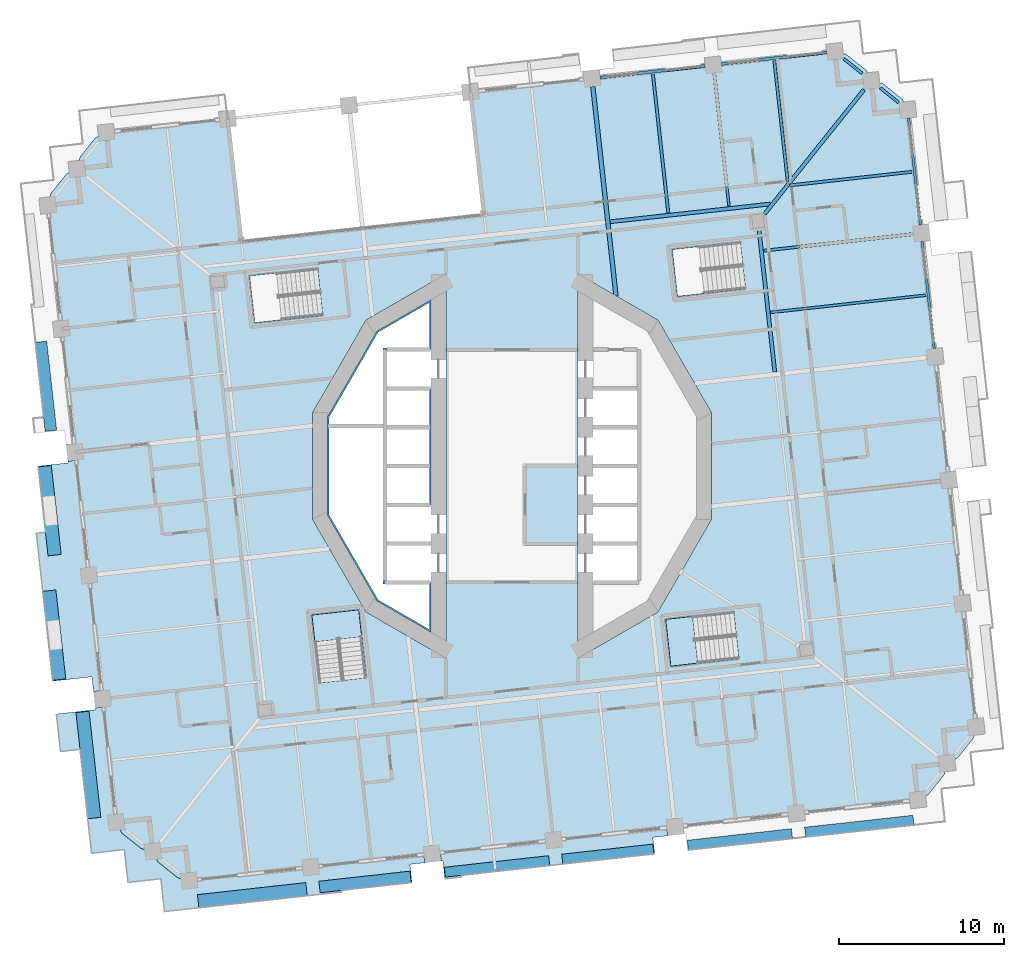
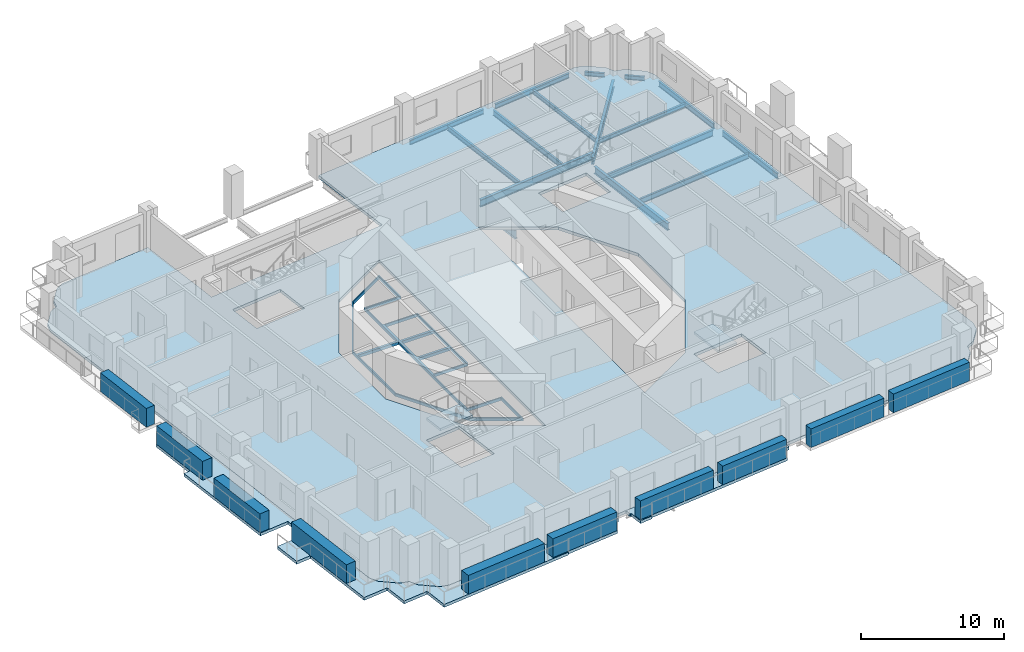
# One storey, part 5 of 21: 16 beams, 10 plates, 7 slabs, 2 elements without a shape of their own.
"""IFC4 building model written with IfcOpenShell, lengths in metres."""

import ifcopenshell
import ifcopenshell.guid

model = None  # the IFC model being written
_history = None  # IfcOwnerHistory: only IFC2X3 demands one
_inside = {}  # id of a spatial element -> (the spatial element, [elements in it])
_under = {}  # id of a project, library or spatial element -> (it, [spatial elements below it])
_declared = {}  # id of a project -> (the project, [libraries it declares])
_typed = {}  # id of a type object -> (the type object, [elements of that type])
_made_of = {}  # id of a material, layer set ... -> (it, [elements and type objects made of it])


def new_model(schema):
    """Start an empty IFC model of exactly this schema.

    Asked for "IFC4X3", IfcOpenShell would pick the latest addendum, in which some entities
    have other attributes; the version numbers below select the first issue.
    IFC2X3 requires an IfcOwnerHistory on every rooted entity: one is made here for all.
    """
    global model, _history
    if schema == "IFC4X3":
        model = ifcopenshell.file(schema_version=(4, 3, 0, 0))
    else:
        model = ifcopenshell.file(schema=schema)
    _inside.clear()
    _under.clear()
    _declared.clear()
    _typed.clear()
    _made_of.clear()
    _history = None
    if model.schema == "IFC2X3":
        org = make("IfcOrganization", Name="unknown")
        user = make(
            "IfcPersonAndOrganization",
            ThePerson=make("IfcPerson", FamilyName="unknown"),
            TheOrganization=org,
        )
        app = make(
            "IfcApplication",
            ApplicationDeveloper=org,
            Version="unknown",
            ApplicationFullName="unknown",
            ApplicationIdentifier="unknown",
        )
        _history = make(
            "IfcOwnerHistory",
            OwningUser=user,
            OwningApplication=app,
            ChangeAction="ADDED",
            CreationDate=0,
        )
    return model


def make(cls, **values):
    """One entity of the class cls with the attributes given. An attribute that is None is left unset."""
    return model.create_entity(
        cls, **{name: value for name, value in values.items() if value is not None}
    )


def rooted(cls, **values):
    """An entity with a GlobalId (a new one), such as an element, a storey or a relation."""
    return make(cls, GlobalId=ifcopenshell.guid.new(), OwnerHistory=_history, **values)


def si_unit(unit_type, name, prefix=None):
    """IfcSIUnit, for example si_unit("LENGTHUNIT", "METRE", prefix="MILLI")."""
    return make("IfcSIUnit", UnitType=unit_type, Prefix=prefix, Name=name)


def assignment(units):
    """IfcUnitAssignment: the units of a project."""
    return None if units is None else make("IfcUnitAssignment", Units=units)


def point(xyz):
    """IfcCartesianPoint."""
    return None if xyz is None else make("IfcCartesianPoint", Coordinates=xyz)


def direction(xyz):
    """IfcDirection."""
    return None if xyz is None else make("IfcDirection", DirectionRatios=xyz)


def frame(location, z_axis=None, x_axis=None):
    """IfcAxis2Placement3D, a coordinate frame: its origin and axes. An axis left out is left unset."""
    return make(
        "IfcAxis2Placement3D",
        Location=point(location),
        Axis=direction(z_axis),
        RefDirection=direction(x_axis),
    )


def frame_2d(location, x_axis=None):
    """IfcAxis2Placement2D, a coordinate frame in the plane: its origin and x axis."""
    return make(
        "IfcAxis2Placement2D", Location=point(location), RefDirection=direction(x_axis)
    )


def origin():
    """The frame at (0, 0, 0) with its axes left unset."""
    return frame((0.0, 0.0, 0.0))


def origin_2d():
    """The frame at (0, 0) in the plane with its x axis left unset."""
    return frame_2d((0.0, 0.0))


def place(relative_to, where):
    """IfcLocalPlacement: puts the frame where relative to a parent placement (None: the world)."""
    return make(
        "IfcLocalPlacement", PlacementRelTo=relative_to, RelativePlacement=where
    )


def context(
    kind, dimensions, precision=None, world=None, true_north=None, identifier=None
):
    """IfcGeometricRepresentationContext, for example the 3D "Model" context."""
    return make(
        "IfcGeometricRepresentationContext",
        ContextIdentifier=identifier,
        ContextType=kind,
        CoordinateSpaceDimension=dimensions,
        Precision=precision,
        WorldCoordinateSystem=world,
        TrueNorth=true_north,
    )


def subcontext(parent, identifier, kind, view, scale=None):
    """IfcGeometricRepresentationSubContext, for example "Body" below "Model"."""
    return make(
        "IfcGeometricRepresentationSubContext",
        ContextIdentifier=identifier,
        ContextType=kind,
        ParentContext=parent,
        TargetScale=scale,
        TargetView=view,
    )


def project(units=None, contexts=None):
    """IfcProject with its units and contexts."""
    return rooted(
        "IfcProject",
        Name="project",
        RepresentationContexts=contexts,
        UnitsInContext=assignment(units),
    )


def spatial(cls, under=None, at=None, **own):
    """A site, building, storey or space (cls), placed at a placement, below another one or the project."""
    s = rooted(cls, ObjectPlacement=at, **own)
    if under is not None:
        _under.setdefault(under.id(), (under, []))[1].append(s)
    return s


def polyline(points):
    """IfcPolyline through the points."""
    return make("IfcPolyline", Points=[point(p) for p in points])


def profile(cls, at=None, kind="AREA", **sizes):
    """A parametric profile (cls). Its sizes go by their IFC names, for example OverallWidth=200.0."""
    return make(cls, ProfileType=kind, Position=at, **sizes)


def rectangle(**sizes):
    """IfcRectangleProfileDef."""
    return profile("IfcRectangleProfileDef", **sizes)


def i_section(**sizes):
    """IfcIShapeProfileDef."""
    return profile("IfcIShapeProfileDef", **sizes)


def outline(outer, holes=None, kind="AREA"):
    """IfcArbitraryClosedProfileDef: a profile drawn as a closed curve; with holes, ...WithVoids."""
    if holes is None:
        return make("IfcArbitraryClosedProfileDef", ProfileType=kind, OuterCurve=outer)
    return make(
        "IfcArbitraryProfileDefWithVoids",
        ProfileType=kind,
        OuterCurve=outer,
        InnerCurves=holes,
    )


def extrude(swept, where, along, depth):
    """IfcExtrudedAreaSolid: the profile swept, set in the frame where, extruded along a direction by depth."""
    return make(
        "IfcExtrudedAreaSolid",
        SweptArea=swept,
        Position=where,
        ExtrudedDirection=direction(along),
        Depth=depth,
    )


def shape(context_of_items, identifier, shape_type, items):
    """IfcShapeRepresentation: the items that make up one representation, for example the "Body"."""
    return make(
        "IfcShapeRepresentation",
        ContextOfItems=context_of_items,
        RepresentationIdentifier=identifier,
        RepresentationType=shape_type,
        Items=items,
    )


def material(Name=None, Category=None):
    """IfcMaterial."""
    return make("IfcMaterial", Name=Name, Category=Category)


def layer(
    of_material, thickness, ventilated=None, Name=None, Category=None, Priority=None
):
    """IfcMaterialLayer: one layer of a wall or slab, of a material (None: an air gap)."""
    return make(
        "IfcMaterialLayer",
        Material=of_material,
        LayerThickness=thickness,
        IsVentilated=ventilated,
        Name=Name,
        Category=Category,
        Priority=Priority,
    )


def layer_set(layers, Name=None):
    """IfcMaterialLayerSet."""
    return make("IfcMaterialLayerSet", MaterialLayers=layers, LayerSetName=Name)


def material_profile(
    of_material, cross_section, Name=None, Category=None, Priority=None
):
    """IfcMaterialProfile: a cross section and its material."""
    return make(
        "IfcMaterialProfile",
        Name=Name,
        Material=of_material,
        Profile=cross_section,
        Priority=Priority,
        Category=Category,
    )


def profile_set(profiles, Name=None, composite=None):
    """IfcMaterialProfileSet."""
    return make(
        "IfcMaterialProfileSet",
        Name=Name,
        MaterialProfiles=profiles,
        CompositeProfile=composite,
    )


def made_of(thing, what):
    """Note that an element or type object is made of a material, layer set ...; save() writes the relation."""
    if what is not None:
        _made_of.setdefault(what.id(), (what, []))[1].append(thing)
    return thing


def type_object(cls, material=None, **own):
    """A type object (cls), such as IfcWallType, which elements share."""
    return made_of(rooted(cls, **own), material)


def element(
    cls,
    number,
    at=None,
    inside=None,
    cuts=None,
    type_object=None,
    material=None,
    context=None,
    identifier="Body",
    shape_type=None,
    held_by="IfcProductDefinitionShape",
    body=None,
    shapes=None,
    **own,
):
    """One element of the class cls, such as IfcWall. Its Tag is "e" and its number.

    at: its placement. inside: the storey or other place that contains it. cuts: it is an
    opening in that element (IfcRelVoidsElement). A single representation is given by context,
    identifier, shape_type and body (its items); several are given by shapes. held_by: the class
    of the entity that holds the representations. save() writes the other relations.
    """
    e = rooted(cls, Tag="e%d" % number, ObjectPlacement=at, **own)
    if body is not None:
        shapes = [shape(context, identifier, shape_type, body)]
    if shapes is not None:
        e.Representation = make(held_by, Representations=shapes)
    if inside is not None:
        _inside.setdefault(inside.id(), (inside, []))[1].append(e)
    if cuts is not None:
        rooted(
            "IfcRelVoidsElement", RelatingBuildingElement=cuts, RelatedOpeningElement=e
        )
    if type_object is not None:
        _typed.setdefault(type_object.id(), (type_object, []))[1].append(e)
    return made_of(e, material)


def aggregate(whole, parts):
    """IfcRelAggregates: a whole, such as a stair, and the parts it consists of."""
    return rooted("IfcRelAggregates", RelatingObject=whole, RelatedObjects=parts)


def save(model, path):
    """Write the relations noted so far, then the file.

    IfcRelAggregates (storeys below a building ...), IfcRelContainedInSpatialStructure (elements
    in a storey), IfcRelDefinesByType, IfcRelAssociatesMaterial and IfcRelDeclares: one each for
    every whole, place, type object, material and project.
    """
    for whole, parts in _under.values():
        aggregate(whole, parts)
    for where, things in _inside.values():
        rooted(
            "IfcRelContainedInSpatialStructure",
            RelatedElements=things,
            RelatingStructure=where,
        )
    for kind, things in _typed.values():
        rooted("IfcRelDefinesByType", RelatedObjects=things, RelatingType=kind)
    for what, things in _made_of.values():
        rooted("IfcRelAssociatesMaterial", RelatedObjects=things, RelatingMaterial=what)
    for by, libraries in _declared.values():
        rooted("IfcRelDeclares", RelatingContext=by, RelatedDefinitions=libraries)
    model.write(path)


model = new_model("IFC4")

# Units and contexts
model_context = context("Model", 3, precision=1e-05, world=origin(), true_north=direction((0.0, 1.0)))
body_context = subcontext(model_context, "Body", "Model", "MODEL_VIEW")
ifc_project = project(units=[si_unit("LENGTHUNIT", "METRE"), si_unit("AREAUNIT", "SQUARE_METRE"), si_unit("VOLUMEUNIT", "CUBIC_METRE"), si_unit("PLANEANGLEUNIT", "RADIAN"), si_unit("MASSUNIT", "GRAM", prefix="KILO")], contexts=[model_context])

# Site, building, storey
site_placement = place(None, origin())
site = spatial("IfcSite", under=ifc_project, at=site_placement, CompositionType="ELEMENT")
building_placement = place(site_placement, origin())
building = spatial("IfcBuilding", under=site, at=building_placement, Name="Cantera Rosa Tower", CompositionType="ELEMENT")
storey_placement = place(building_placement, frame((0.0, 0.0, 57.699951171875)))
storey = spatial("IfcBuildingStorey", under=building, at=storey_placement, Name="L11", CompositionType="ELEMENT", Elevation=57.699951171875)

# Beams
ifc_material_1 = material(Name="Steel ASTM A992 (Fy 345 MPa)", Category="steel")
ifc_material_profile_1 = material_profile(ifc_material_1, i_section(OverallWidth=0.154052734375, OverallDepth=0.4599609375, WebThickness=0.009033203125, FlangeThickness=0.015380859375, FilletRadius=0.01025390625, at=origin_2d()), Name="W460X68")
ifc_profile_set_1 = profile_set([ifc_material_profile_1], Name="Steel ASTM A992 (Fy 345 MPa)")
beam_type_1 = type_object("IfcBeamType", Name="STEEL BEAM W460X68", PredefinedType="BEAM", material=ifc_profile_set_1)
beam_1_placement = place(storey_placement, frame((12.249755859375, 23.796630859375, -0.47998046875), z_axis=(0.110312435488, -0.993896959738, 0.0), x_axis=(0.993896959738, 0.110312435488, 0.0)))
element("IfcBeam", 1, at=beam_1_placement, inside=storey, type_object=beam_type_1, Name="G-Z1-05 L11", PredefinedType="BEAM", context=body_context, shape_type="SweptSolid", body=[
    extrude(i_section(OverallWidth=0.154052734375, OverallDepth=0.4599609375, WebThickness=0.009033203125, FlangeThickness=0.015380859375, FilletRadius=0.01025390625, at=origin_2d()), origin(), (0.0, 0.0, 1.0), 8.10009765625),
])
ifc_material_2 = material(Name="Steel ASTM A992 (Fy 345 MPa)", Category="steel")
ifc_material_profile_2 = material_profile(ifc_material_2, i_section(OverallWidth=0.166015625, OverallDepth=0.528076171875, WebThickness=0.009765625, FlangeThickness=0.013671875, FilletRadius=0.0126953125, at=origin_2d()), Name="W530X74")
ifc_profile_set_2 = profile_set([ifc_material_profile_2], Name="Steel ASTM A992 (Fy 345 MPa)")
beam_type_2 = type_object("IfcBeamType", Name="STEEL BEAM W530X74", PredefinedType="BEAM", material=ifc_profile_set_2)
beam_2_placement = place(storey_placement, frame((24.298828125, 14.046142578125, -0.513916015625), z_axis=(-0.993896161189, -0.110319630049, 0.0), x_axis=(0.110319630049, -0.993896161189, 0.0)))
element("IfcBeam", 2, at=beam_2_placement, inside=storey, type_object=beam_type_2, Name="G-Z1-04 L11", PredefinedType="BEAM", context=body_context, shape_type="SweptSolid", body=[
    extrude(i_section(OverallWidth=0.166015625, OverallDepth=0.528076171875, WebThickness=0.009765625, FlangeThickness=0.013671875, FilletRadius=0.0126953125, at=origin_2d()), origin(), (0.0, 0.0, 1.0), 9.10009765625),
])
ifc_material_3 = material(Name="Steel ASTM A992 (Fy 345 MPa)", Category="steel")
ifc_material_profile_3 = material_profile(ifc_material_3, i_section(OverallWidth=0.22802734375, OverallDepth=0.60205078125, WebThickness=0.010498046875, FlangeThickness=0.014892578125, FilletRadius=0.0126953125, at=origin_2d()), Name="W610X101")
ifc_profile_set_3 = profile_set([ifc_material_profile_3], Name="Steel ASTM A992 (Fy 345 MPa)")
beam_type_3 = type_object("IfcBeamType", Name="STEEL BEAM W610X101", PredefinedType="BEAM", material=ifc_profile_set_3)
beam_3_placement = place(storey_placement, frame((21.31591796875, 22.79052734375, -0.551025390625), z_axis=(-0.624787924463, -0.780794498857, 0.0), x_axis=(0.780794498857, -0.624787924463, 0.0)))
element("IfcBeam", 3, at=beam_3_placement, inside=storey, type_object=beam_type_3, Name="CB-Z1-01 L11", PredefinedType="BEAM", context=body_context, shape_type="SweptSolid", body=[
    extrude(i_section(OverallWidth=0.22802734375, OverallDepth=0.60205078125, WebThickness=0.010498046875, FlangeThickness=0.014892578125, FilletRadius=0.0126953125, at=origin_2d()), origin(), (0.0, 0.0, 1.0), 9.616455078125),
])
beam_4_placement = place(storey_placement, frame((15.918212890625, 5.70068359375, -0.551025390625), z_axis=(-0.110298932846, 0.993898458301, 0.0), x_axis=(-0.993898458301, -0.110298932846, 0.0)))
element("IfcBeam", 4, at=beam_4_placement, inside=storey, type_object=beam_type_3, Name="RB-Z1-09 L11", PredefinedType="BEAM", context=body_context, shape_type="SweptSolid", body=[
    extrude(i_section(OverallWidth=0.22802734375, OverallDepth=0.60205078125, WebThickness=0.010498046875, FlangeThickness=0.014892578125, FilletRadius=0.0126953125, at=origin_2d()), origin(), (0.0, 0.0, 1.0), 8.68994140625),
])
ifc_material_4 = material(Name="Steel ASTM A992 (Fy 345 MPa)", Category="steel")
ifc_material_profile_4 = material_profile(ifc_material_4, i_section(OverallWidth=0.22900390625, OverallDepth=0.612060546875, WebThickness=0.011962890625, FlangeThickness=0.01953125, FilletRadius=0.0126953125, at=origin_2d()), Name="W610X125")
ifc_profile_set_4 = profile_set([ifc_material_profile_4], Name="Steel ASTM A992 (Fy 345 MPa)")
beam_type_4 = type_object("IfcBeamType", Name="STEEL BEAM W610X125", PredefinedType="BEAM", material=ifc_profile_set_4)
beam_5_placement = place(storey_placement, frame((5.9541015625, 14.797119140625, -0.555908203125), z_axis=(0.993898078625, 0.110302354035, 0.0), x_axis=(-0.110302354035, 0.993898078625, 0.0)))
element("IfcBeam", 5, at=beam_5_placement, inside=storey, type_object=beam_type_4, Name="RB-Z1-03 L11", PredefinedType="BEAM", context=body_context, shape_type="SweptSolid", body=[
    extrude(i_section(OverallWidth=0.22900390625, OverallDepth=0.612060546875, WebThickness=0.011962890625, FlangeThickness=0.01953125, FilletRadius=0.0126953125, at=origin_2d()), origin(), (0.0, 0.0, 1.0), 9.75),
])
ifc_material_5 = material(Name="Steel ASTM A992 (Fy 345 MPa)", Category="steel")
ifc_material_profile_5 = material_profile(ifc_material_5, i_section(OverallWidth=0.26708984375, OverallDepth=0.75390625, WebThickness=0.01318359375, FlangeThickness=0.01708984375, FilletRadius=0.0166015625, at=origin_2d()), Name="W760X147")
ifc_profile_set_5 = profile_set([ifc_material_profile_5], Name="Steel ASTM A992 (Fy 345 MPa)")
beam_type_5 = type_object("IfcBeamType", Name="STEEL BEAM W760X147", PredefinedType="BEAM", material=ifc_profile_set_5)
beam_6_placement = place(storey_placement, frame((4.894775390625, 22.980224609375, -0.626953125), z_axis=(0.11031177493, -0.993897033053, 0.0), x_axis=(0.993897033053, 0.11031177493, 0.0)))
element("IfcBeam", 6, at=beam_6_placement, inside=storey, type_object=beam_type_5, Name="G-Z1-06 L11", PredefinedType="BEAM", context=body_context, shape_type="SweptSolid", body=[
    extrude(i_section(OverallWidth=0.26708984375, OverallDepth=0.75390625, WebThickness=0.01318359375, FlangeThickness=0.01708984375, FilletRadius=0.0166015625, at=origin_2d()), origin(), (0.0, 0.0, 1.0), 12.754638671875),
])
ifc_material_6 = material(Name="Steel ASTM A992 (Fy 345 MPa)", Category="steel")
ifc_material_profile_6 = material_profile(ifc_material_6, i_section(OverallWidth=0.1708984375, OverallDepth=0.35595703125, WebThickness=0.00732421875, FlangeThickness=0.01171875, FilletRadius=0.010009765625, at=origin_2d()), Name="W360X51")
ifc_profile_set_6 = profile_set([ifc_material_profile_6], Name="Steel ASTM A992 (Fy 345 MPa)")
beam_type_6 = type_object("IfcBeamType", Name="STEEL JOIST W360X51", PredefinedType="JOIST", material=ifc_profile_set_6)
beam_7_placement = place(storey_placement, frame((24.23193359375, 17.82177734375, -0.427978515625), z_axis=(-0.993899688369, -0.110287848199, 0.0), x_axis=(0.110287848199, -0.993899688369, 0.0)))
element("IfcBeam", 7, at=beam_7_placement, inside=storey, type_object=beam_type_6, Name="B-Z1-05 L11", PredefinedType="JOIST", context=body_context, shape_type="SweptSolid", body=[
    extrude(i_section(OverallWidth=0.1708984375, OverallDepth=0.35595703125, WebThickness=0.00732421875, FlangeThickness=0.01171875, FilletRadius=0.010009765625, at=origin_2d()), origin(), (0.0, 0.0, 1.0), 7.4599609375),
])
beam_8_placement = place(storey_placement, frame((15.888427734375, 24.552490234375, -0.427978515625), z_axis=(0.110326513132, -0.993895397162, 0.0), x_axis=(0.993895397162, 0.110326513132, 0.0)))
element("IfcBeam", 8, at=beam_8_placement, inside=storey, type_object=beam_type_6, Name="B-Z1-06 L11", PredefinedType="JOIST", context=body_context, shape_type="SweptSolid", body=[
    extrude(i_section(OverallWidth=0.1708984375, OverallDepth=0.35595703125, WebThickness=0.00732421875, FlangeThickness=0.01171875, FilletRadius=0.010009765625, at=origin_2d()), origin(), (0.0, 0.0, 1.0), 7.39990234375),
])
ifc_material_7 = material(Name="Steel ASTM A992 (Fy 345 MPa)", Category="steel")
ifc_material_profile_7 = material_profile(ifc_material_7, i_section(OverallWidth=0.177978515625, OverallDepth=0.406005859375, WebThickness=0.0078125, FlangeThickness=0.0126953125, FilletRadius=0.01025390625, at=origin_2d()), Name="W410X60")
ifc_profile_set_7 = profile_set([ifc_material_profile_7], Name="Steel ASTM A992 (Fy 345 MPa)")
beam_type_7 = type_object("IfcBeamType", Name="STEEL JOIST W410X60", PredefinedType="JOIST", material=ifc_profile_set_7)
beam_9_placement = place(storey_placement, frame((8.53369140625, 23.736328125, -0.452880859375), z_axis=(0.110311022989, -0.99389711651, 0.0), x_axis=(0.99389711651, 0.110311022989, 0.0)))
element("IfcBeam", 9, at=beam_9_placement, inside=storey, type_object=beam_type_7, Name="B-Z1-07 L11", PredefinedType="JOIST", context=body_context, shape_type="SweptSolid", body=[
    extrude(i_section(OverallWidth=0.177978515625, OverallDepth=0.406005859375, WebThickness=0.0078125, FlangeThickness=0.0126953125, FilletRadius=0.01025390625, at=origin_2d()), origin(), (0.0, 0.0, 1.0), 8.449951171875),
])
ifc_material_8 = material(Name="Steel ASTM A992 (Fy 345 MPa)", Category="steel")
ifc_material_profile_8 = material_profile(ifc_material_8, i_section(OverallWidth=0.154052734375, OverallDepth=0.4599609375, WebThickness=0.009033203125, FlangeThickness=0.015380859375, FilletRadius=0.01025390625, at=origin_2d()), Name="W460X68")
ifc_profile_set_8 = profile_set([ifc_material_profile_8], Name="Steel ASTM A992 (Fy 345 MPa)")
beam_type_8 = type_object("IfcBeamType", Name="STEEL JOIST W460X68", PredefinedType="JOIST", material=ifc_profile_set_8)
beam_10_placement = place(storey_placement, frame((25.0615234375, 10.34765625, -0.47998046875), z_axis=(-0.993896645353, -0.110315268011, 0.0), x_axis=(0.110315268011, -0.993896645353, 0.0)))
element("IfcBeam", 10, at=beam_10_placement, inside=storey, type_object=beam_type_8, Name="B-Z1-04 L11", PredefinedType="JOIST", context=body_context, shape_type="SweptSolid", body=[
    extrude(i_section(OverallWidth=0.154052734375, OverallDepth=0.4599609375, WebThickness=0.009033203125, FlangeThickness=0.015380859375, FilletRadius=0.01025390625, at=origin_2d()), origin(), (0.0, 0.0, 1.0), 9.449951171875),
])
ifc_material_9 = material(Name="Steel ASTM A992 (Fy 345 MPa)", Category="steel")
ifc_material_profile_9 = material_profile(ifc_material_9, i_section(OverallWidth=0.1708984375, OverallDepth=0.35595703125, WebThickness=0.00732421875, FlangeThickness=0.01171875, FilletRadius=0.010009765625, at=origin_2d()), Name="W360X51")
ifc_profile_set_9 = profile_set([ifc_material_profile_9], Name="Steel ASTM A992 (Fy 345 MPa)")
beam_type_9 = type_object("IfcBeamType", Name="STEEL SPANDREL BEAM W360X51", PredefinedType="SPANDREL", material=ifc_profile_set_9)
for number, where, z_axis, x_axis, name in (
    (11, (23.4140625, 22.017333984375, -0.427978515625), (-0.780818280208, 0.624758203863, 0.0), (-0.624758203863, -0.780818280208, 0.0), "EB-Z1-06 L11"),
    (12, (21.205810546875, 23.784423828125, -0.427978515625), (-0.780818280208, 0.624758203863, 0.0), (-0.624758203863, -0.780818280208, 0.0), "EB-Z1-07 L11"),
):
    element("IfcBeam", number, at=place(storey_placement, frame(where, z_axis=z_axis, x_axis=x_axis)), inside=storey, type_object=beam_type_9, Name=name, PredefinedType="SPANDREL", context=body_context, shape_type="SweptSolid", body=[
        extrude(i_section(OverallWidth=0.1708984375, OverallDepth=0.35595703125, WebThickness=0.00732421875, FlangeThickness=0.01171875, FilletRadius=0.010009765625, at=origin_2d()), origin(), (0.0, 0.0, 1.0), 1.414306640625),
    ])
ifc_material_10 = material(Name="Steel ASTM A992 (Fy 345 MPa)", Category="steel")
ifc_material_profile_10 = material_profile(ifc_material_10, i_section(OverallWidth=0.177978515625, OverallDepth=0.406005859375, WebThickness=0.0078125, FlangeThickness=0.0126953125, FilletRadius=0.01025390625, at=origin_2d()), Name="W410X60")
ifc_profile_set_10 = profile_set([ifc_material_profile_10], Name="Steel ASTM A992 (Fy 345 MPa)")
beam_type_10 = type_object("IfcBeamType", Name="STEEL SPANDREL BEAM W410X60", PredefinedType="SPANDREL", material=ifc_profile_set_10)
beam_11_placement = place(storey_placement, frame((19.052490234375, 25.0546875, -0.452880859375), z_axis=(-0.993896288542, -0.110318482689, 0.0), x_axis=(0.110318482689, -0.993896288542, 0.0)))
element("IfcBeam", 13, at=beam_11_placement, inside=storey, type_object=beam_type_10, Name="EB-Z1-08 L11", PredefinedType="SPANDREL", context=body_context, shape_type="SweptSolid", body=[
    extrude(i_section(OverallWidth=0.177978515625, OverallDepth=0.406005859375, WebThickness=0.0078125, FlangeThickness=0.0126953125, FilletRadius=0.01025390625, at=origin_2d()), origin(), (0.0, 0.0, 1.0), 6.400146484375),
])
beam_12_placement = place(storey_placement, frame((11.697509765625, 24.23828125, -0.452880859375), z_axis=(-0.993895824271, -0.110322665379, 0.0), x_axis=(0.110322665379, -0.993895824271, 0.0)))
element("IfcBeam", 14, at=beam_12_placement, inside=storey, type_object=beam_type_10, Name="EB-Z1-09 L11", PredefinedType="SPANDREL", context=body_context, shape_type="SweptSolid", body=[
    extrude(i_section(OverallWidth=0.177978515625, OverallDepth=0.406005859375, WebThickness=0.0078125, FlangeThickness=0.0126953125, FilletRadius=0.01025390625, at=origin_2d()), origin(), (0.0, 0.0, 1.0), 6.39990234375),
])
ifc_material_11 = material(Name="Steel ASTM A992 (Fy 345 MPa)", Category="steel")
ifc_material_profile_11 = material_profile(ifc_material_11, i_section(OverallWidth=0.154052734375, OverallDepth=0.4599609375, WebThickness=0.009033203125, FlangeThickness=0.015380859375, FilletRadius=0.01025390625, at=origin_2d()), Name="W460X68")
ifc_profile_set_11 = profile_set([ifc_material_profile_11], Name="Steel ASTM A992 (Fy 345 MPa)")
beam_type_11 = type_object("IfcBeamType", Name="STEEL SPANDREL BEAM W460X68", PredefinedType="SPANDREL", material=ifc_profile_set_11)
for number, where, z_axis, x_axis, name in (
    (15, (25.570068359375, 7.124267578125, -0.47998046875), (-0.110312341265, 0.993896970196, 0.0), (-0.993896970196, -0.110312341265, 0.0), "EB-Z1-04 L11"),
    (16, (24.74072265625, 14.598388671875, -0.47998046875), (-0.110312341265, 0.993896970196, 0.0), (-0.993896970196, -0.110312341265, 0.0), "EB-Z1-05 L11"),
):
    element("IfcBeam", number, at=place(storey_placement, frame(where, z_axis=z_axis, x_axis=x_axis)), inside=storey, type_object=beam_type_11, Name=name, PredefinedType="SPANDREL", context=body_context, shape_type="SweptSolid", body=[
        extrude(i_section(OverallWidth=0.154052734375, OverallDepth=0.4599609375, WebThickness=0.009033203125, FlangeThickness=0.015380859375, FilletRadius=0.01025390625, at=origin_2d()), origin(), (0.0, 0.0, 1.0), 6.52001953125),
    ])

# Slabs
ifc_material_12 = material(Name="Concrete C35/45", Category="concrete")
ifc_layer_1 = layer(ifc_material_12, 0.25)
ifc_layer_set_1 = layer_set([ifc_layer_1], Name="COMPOSITE FLOOR SLAB 250 C35/45")
slab_type_1 = type_object("IfcSlabType", Name="COMPOSITE FLOOR SLAB 250 C35/45", PredefinedType="FLOOR", material=ifc_layer_set_1)
slab_1_placement = place(storey_placement, frame((0.0, 0.0, -0.25)))
element("IfcSlab", 17, at=slab_1_placement, inside=storey, type_object=slab_type_1, Name="SLAB L11 floor 1", PredefinedType="FLOOR", context=body_context, shape_type="SweptSolid", body=[
    extrude(outline(polyline([(-7.699951171875, -2.35009765625), (-7.699951171875, -4.699951171875), (-7.699951171875, -7.050048828125), (-4.89990234375, -7.050048828125), (-4.89990234375, -10.07373046875), (-8.179931640625, -8.179931640625), (-11.174072265625, -2.994140625), (-11.174072265625, 2.994140625), (-8.179931640625, 8.179931640625), (-4.89990234375, 10.07373046875), (-4.89990234375, 7.050048828125), (-7.699951171875, 7.050048828125), (-7.699951171875, 4.699951171875), (-4.89990234375, 4.699951171875), (-4.89990234375, -2.35009765625), (-7.699951171875, -2.35009765625)]), holes=[polyline([(-5.0, -9.900390625), (-5.0, -7.14990234375), (-7.800048828125, -7.14990234375), (-7.800048828125, -2.449951171875), (-7.800048828125, -2.25), (-7.800048828125, 2.25), (-7.800048828125, 2.317626953125), (-11.07421875, 2.317626953125), (-11.07421875, -2.96728515625), (-8.106689453125, -8.106689453125), (-5.0, -9.900390625)]), polyline([(-7.60009765625, -0.10009765625), (-7.60009765625, -2.25), (-5.0, -2.25), (-5.0, -0.10009765625), (-7.60009765625, -0.10009765625)]), polyline([(-7.60009765625, 0.10009765625), (-5.0, 0.10009765625), (-5.0, 2.25), (-7.60009765625, 2.25), (-7.60009765625, 0.10009765625)]), polyline([(-7.60009765625, 2.449951171875), (-5.0, 2.449951171875), (-5.0, 4.60009765625), (-7.60009765625, 4.60009765625), (-7.60009765625, 2.449951171875)]), polyline([(-7.800048828125, 2.517578125), (-7.800048828125, 7.14990234375), (-5.0, 7.14990234375), (-5.0, 9.900390625), (-8.106689453125, 8.106689453125), (-11.07421875, 2.96728515625), (-11.07421875, 2.517578125), (-7.800048828125, 2.517578125)])]), origin(), (0.0, 0.0, 1.0), 0.25),
])
slab_2_placement = place(storey_placement, frame((0.0, 0.0, -0.25)))
element("IfcSlab", 18, at=slab_2_placement, inside=storey, type_object=slab_type_1, Name="SLAB L11 floor 2", PredefinedType="FLOOR", context=body_context, shape_type="SweptSolid", body=[
    extrude(outline(polyline([(-20.288818359375, -24.902099609375), (-21.39306640625, -24.018798828125), (-21.415283203125, -23.999267578125), (-21.435302734375, -23.9775390625), (-21.453125, -23.9541015625), (-21.468505859375, -23.92919921875), (-21.7578125, -23.342529296875), (-22.393310546875, -23.18896484375), (-22.42138671875, -23.179443359375), (-22.447998046875, -23.1669921875), (-22.473388671875, -23.15234375), (-22.497314453125, -23.135009765625), (-23.6015625, -22.25146484375), (-23.62353515625, -22.23193359375), (-23.643798828125, -22.21044921875), (-23.66162109375, -22.18701171875), (-23.677001953125, -22.161865234375), (-23.96630859375, -21.575439453125), (-28.114013671875, 15.795166015625), (-27.960205078125, 16.4306640625), (-27.95068359375, 16.45849609375), (-27.9384765625, 16.4853515625), (-27.923583984375, 16.5107421875), (-27.906494140625, 16.53466796875), (-27.022705078125, 17.638916015625), (-27.00341796875, 17.660888671875), (-26.981689453125, 17.680908203125), (-26.958251953125, 17.69873046875), (-26.933349609375, 17.714111328125), (-26.3466796875, 18.00341796875), (-26.193115234375, 18.63916015625), (-26.18359375, 18.6669921875), (-26.17138671875, 18.693603515625), (-26.156494140625, 18.71923828125), (-26.139404296875, 18.742919921875), (-25.255615234375, 19.84716796875), (-25.236083984375, 19.869384765625), (-25.214599609375, 19.889404296875), (-25.191162109375, 19.9072265625), (-25.166015625, 19.922607421875), (-24.57958984375, 20.2119140625), (-17.224853515625, 21.0283203125), (-16.3974609375, 13.573974609375), (-1.687744140625, 15.20654296875), (-2.51513671875, 22.660888671875), (18.642578125, 25.00927734375), (19.54931640625, 25.10986328125), (20.18505859375, 24.9560546875), (20.212890625, 24.946533203125), (20.239501953125, 24.934326171875), (20.26513671875, 24.91943359375), (20.288818359375, 24.902099609375), (21.39306640625, 24.018798828125), (21.415283203125, 23.999267578125), (21.435302734375, 23.9775390625), (21.453125, 23.9541015625), (21.468505859375, 23.92919921875), (21.7578125, 23.342529296875), (22.393310546875, 23.18896484375), (22.42138671875, 23.179443359375), (22.447998046875, 23.1669921875), (22.473388671875, 23.15234375), (22.497314453125, 23.135009765625), (23.6015625, 22.25146484375), (23.62353515625, 22.23193359375), (23.643798828125, 22.21044921875), (23.66162109375, 22.18701171875), (23.677001953125, 22.161865234375), (23.96630859375, 21.575439453125), (28.114013671875, -15.795166015625), (27.960205078125, -16.4306640625), (27.95068359375, -16.45849609375), (27.9384765625, -16.4853515625), (27.923583984375, -16.5107421875), (27.906494140625, -16.53466796875), (27.022705078125, -17.638916015625), (27.00341796875, -17.660888671875), (26.981689453125, -17.680908203125), (26.958251953125, -17.69873046875), (26.933349609375, -17.714111328125), (26.3466796875, -18.00341796875), (26.193115234375, -18.63916015625), (26.18359375, -18.6669921875), (26.17138671875, -18.693603515625), (26.156494140625, -18.71923828125), (26.139404296875, -18.742919921875), (25.255615234375, -19.84716796875), (25.236083984375, -19.869384765625), (25.214599609375, -19.889404296875), (25.191162109375, -19.9072265625), (25.166015625, -19.922607421875), (24.57958984375, -20.2119140625), (-18.642578125, -25.00927734375), (-19.54931640625, -25.10986328125), (-20.18505859375, -24.9560546875), (-20.212890625, -24.946533203125), (-20.239501953125, -24.934326171875), (-20.26513671875, -24.91943359375), (-20.288818359375, -24.902099609375)]), holes=[polyline([(-8.83056640625, -12.822265625), (-9.287109375, -8.709716796875), (-12.11962890625, -9.02392578125), (-11.6630859375, -13.13671875), (-8.83056640625, -12.822265625)]), polyline([(-4.0, 11.632568359375), (-8.8388671875, 8.8388671875), (-12.07421875, 3.235107421875), (-12.07421875, -3.235107421875), (-8.8388671875, -8.8388671875), (-4.0, -11.632568359375), (-4.0, 11.632568359375)]), polyline([(-11.46337890625, 9.13671875), (-11.777587890625, 11.969482421875), (-15.890380859375, 11.512939453125), (-15.575927734375, 8.680419921875), (-11.46337890625, 9.13671875)]), polyline([(13.42236328125, -8.83056640625), (9.3095703125, -9.287109375), (9.6240234375, -12.11962890625), (13.73681640625, -11.6630859375), (13.42236328125, -8.83056640625)]), polyline([(8.8388671875, -8.8388671875), (12.07421875, -3.235107421875), (12.07421875, 3.235107421875), (8.8388671875, 8.8388671875), (4.0, 11.632568359375), (4.0, -11.632568359375), (8.8388671875, -8.8388671875)]), polyline([(14.13671875, 10.73681640625), (13.822265625, 13.5693359375), (9.709716796875, 13.11279296875), (10.02392578125, 10.2802734375), (14.13671875, 10.73681640625)])]), origin(), (0.0, 0.0, 1.0), 0.25),
])
ifc_material_13 = material(Name="Concrete C35/45", Category="concrete")
ifc_layer_2 = layer(ifc_material_13, 0.25)
ifc_layer_set_2 = layer_set([ifc_layer_2], Name="LOGGIA SLAB 250 C35/45")
slab_type_2 = type_object("IfcSlabType", Name="LOGGIA SLAB 250 C35/45", PredefinedType="FLOOR", material=ifc_layer_set_2)
slab_3_placement = place(storey_placement, frame((0.0, 0.0, -0.25)))
element("IfcSlab", 19, at=slab_3_placement, inside=storey, type_object=slab_type_2, Name="LOGGIA SLAB L11 1", PredefinedType="FLOOR", context=body_context, shape_type="SweptSolid", body=[
    extrude(outline(polyline([(-28.705322265625, -0.006591796875), (-26.885498046875, 0.1953125), (-26.896728515625, 0.294921875), (-26.399658203125, 0.349853515625), (-24.850830078125, -13.6044921875), (-25.347900390625, -13.65966796875), (-25.447265625, -12.764892578125), (-27.8203125, -13.0283203125), (-28.813720703125, -4.07568359375), (-28.260498046875, -4.014404296875), (-28.705322265625, -0.006591796875)])), origin(), (0.0, 0.0, 1.0), 0.25),
])
slab_4_placement = place(storey_placement, frame((0.0, 0.0, -0.25)))
element("IfcSlab", 20, at=slab_4_placement, inside=storey, type_object=slab_type_2, Name="LOGGIA SLAB L11 3", PredefinedType="FLOOR", context=body_context, shape_type="SweptSolid", body=[
    extrude(outline(polyline([(-19.36181640625, -26.79931640625), (-21.051513671875, -26.98681640625), (-21.239013671875, -25.29736328125), (-21.272216796875, -24.999267578125), (-21.5703125, -25.0322265625), (-23.260009765625, -25.2197265625), (-23.447509765625, -23.5302734375), (-23.48046875, -23.23193359375), (-23.77880859375, -23.26513671875), (-25.46826171875, -23.45263671875), (-25.65576171875, -21.762939453125), (-26.1669921875, -17.15869140625), (-27.34716796875, -17.289794921875), (-27.599609375, -15.01611328125), (-25.2265625, -14.752685546875), (-25.237548828125, -14.653564453125), (-24.740478515625, -14.598388671875), (-23.96630859375, -21.575439453125), (-23.677001953125, -22.161865234375), (-23.66162109375, -22.18701171875), (-23.643798828125, -22.21044921875), (-23.62353515625, -22.23193359375), (-23.6015625, -22.25146484375), (-22.497314453125, -23.135009765625), (-22.473388671875, -23.15234375), (-22.447998046875, -23.1669921875), (-22.42138671875, -23.179443359375), (-22.393310546875, -23.18896484375), (-21.7578125, -23.342529296875), (-21.468505859375, -23.92919921875), (-21.453125, -23.9541015625), (-21.435302734375, -23.9775390625), (-21.415283203125, -23.999267578125), (-21.39306640625, -24.018798828125), (-20.288818359375, -24.902099609375), (-20.26513671875, -24.91943359375), (-20.239501953125, -24.934326171875), (-20.212890625, -24.946533203125), (-20.18505859375, -24.9560546875), (-19.54931640625, -25.10986328125), (-18.642578125, -25.00927734375), (-5.336669921875, -23.5322265625), (-5.281494140625, -24.029296875), (-6.176025390625, -24.12841796875), (-6.05419921875, -25.2255859375), (-10.327880859375, -25.699951171875), (-10.3173828125, -25.795654296875), (-19.36181640625, -26.79931640625)])), origin(), (0.0, 0.0, 1.0), 0.25),
])
slab_5_placement = place(storey_placement, frame((0.0, 0.0, -0.25)))
element("IfcSlab", 21, at=slab_5_placement, inside=storey, type_object=slab_type_2, Name="LOGGIA SLAB L11 5", PredefinedType="FLOOR", context=body_context, shape_type="SweptSolid", body=[
    extrude(outline(polyline([(-4.188232421875, -23.907958984375), (-4.28759765625, -23.9189453125), (-4.3427734375, -23.422119140625), (9.373046875, -21.899658203125), (9.42822265625, -22.396484375), (8.53369140625, -22.495849609375), (8.64404296875, -23.48974609375), (8.544677734375, -23.5009765625), (4.17138671875, -23.986083984375), (1.189697265625, -24.317138671875), (-3.080078125, -24.791015625), (-3.068603515625, -24.894287109375), (-4.06640625, -25.005126953125), (-4.188232421875, -23.907958984375)])), origin(), (0.0, 0.0, 1.0), 0.25),
])

# Plates
ifc_material_14 = material(Name="Cantera stone planter with soil", Category="masonry")
plate_type_1 = type_object("IfcPlateType", Name="PLANTER 600", PredefinedType="USERDEFINED", material=ifc_material_14)
plate_1_placement = place(storey_placement, frame((-0.90576171875, -24.247802734375, 0.0), z_axis=(0.0, 0.0, 1.0), x_axis=(0.993896946415, 0.110312555526, 0.0)))
element("IfcPlate", 22, at=plate_1_placement, inside=storey, type_object=plate_type_1, Name="PLANTER L11-19", ObjectType="PLANTER", PredefinedType="USERDEFINED", context=body_context, shape_type="SweptSolid", body=[
    extrude(rectangle(XDim=6.35009765625, YDim=0.60009765625, at=origin_2d()), origin(), (0.0, 0.0, 1.0), 1.60009765625),
])
plate_2_placement = place(storey_placement, frame((5.80322265625, -23.503173828125, 0.0), z_axis=(0.0, 0.0, 1.0), x_axis=(0.993896946415, 0.110312555526, 0.0)))
element("IfcPlate", 23, at=plate_2_placement, inside=storey, type_object=plate_type_1, Name="PLANTER L11-20", ObjectType="PLANTER", PredefinedType="USERDEFINED", context=body_context, shape_type="SweptSolid", body=[
    extrude(rectangle(XDim=5.550048828125, YDim=0.60009765625, at=origin_2d()), origin(), (0.0, 0.0, 1.0), 1.60009765625),
])
plate_3_placement = place(storey_placement, frame((13.803955078125, -22.615234375, 0.0), z_axis=(0.0, 0.0, 1.0), x_axis=(0.993896946415, 0.110312555526, 0.0)))
element("IfcPlate", 24, at=plate_3_placement, inside=storey, type_object=plate_type_1, Name="PLANTER L11-21", ObjectType="PLANTER", PredefinedType="USERDEFINED", context=body_context, shape_type="SweptSolid", body=[
    extrude(rectangle(XDim=6.35009765625, YDim=0.60009765625, at=origin_2d()), origin(), (0.0, 0.0, 1.0), 1.60009765625),
])
plate_4_placement = place(storey_placement, frame((21.03466796875, -21.812744140625, 0.0), z_axis=(0.0, 0.0, 1.0), x_axis=(0.993896946415, 0.110312555526, 0.0)))
element("IfcPlate", 25, at=plate_4_placement, inside=storey, type_object=plate_type_1, Name="PLANTER L11-22", ObjectType="PLANTER", PredefinedType="USERDEFINED", context=body_context, shape_type="SweptSolid", body=[
    extrude(rectangle(XDim=6.60009765625, YDim=0.60009765625, at=origin_2d()), origin(), (0.0, 0.0, 1.0), 1.60009765625),
])
ifc_material_15 = material(Name="Cantera stone planter with soil", Category="masonry")
plate_type_2 = type_object("IfcPlateType", Name="PLANTER 700", PredefinedType="USERDEFINED", material=ifc_material_15)
plate_5_placement = place(storey_placement, frame((-28.2314453125, 4.835205078125, 0.0), z_axis=(0.0, 0.0, 1.0), x_axis=(0.110312555526, -0.993896946415, 0.0)))
element("IfcPlate", 26, at=plate_5_placement, inside=storey, type_object=plate_type_2, Name="PLANTER L11-13", ObjectType="PLANTER", PredefinedType="USERDEFINED", context=body_context, shape_type="SweptSolid", body=[
    extrude(rectangle(XDim=5.419921875, YDim=0.699951171875, at=origin_2d()), origin(), (0.0, 0.0, 1.0), 1.60009765625),
])
plate_6_placement = place(storey_placement, frame((-8.900634765625, -25.189453125, 0.0), z_axis=(0.0, 0.0, 1.0), x_axis=(0.993896946415, 0.110312555526, 0.0)))
element("IfcPlate", 27, at=plate_6_placement, inside=storey, type_object=plate_type_2, Name="PLANTER L11-18", ObjectType="PLANTER", PredefinedType="USERDEFINED", context=body_context, shape_type="SweptSolid", body=[
    extrude(rectangle(XDim=5.550048828125, YDim=0.699951171875, at=origin_2d()), origin(), (0.0, 0.0, 1.0), 1.60009765625),
])
ifc_material_16 = material(Name="Cantera stone planter with soil", Category="masonry")
plate_type_3 = type_object("IfcPlateType", Name="PLANTER 800", PredefinedType="USERDEFINED", material=ifc_material_16)
for number, where, z_axis, x_axis, name in (
    (28, (-28.00341796875, -2.70556640625, 0.0), (0.0, 0.0, 1.0), (0.110312555526, -0.993896946415, 0.0), "PLANTER L11-14"),
    (29, (-27.72705078125, -10.2412109375, 0.0), (0.0, 0.0, 1.0), (0.110312555526, -0.993896946415, 0.0), "PLANTER L11-15"),
):
    element("IfcPlate", number, at=place(storey_placement, frame(where, z_axis=z_axis, x_axis=x_axis)), inside=storey, type_object=plate_type_3, Name=name, ObjectType="PLANTER", PredefinedType="USERDEFINED", context=body_context, shape_type="SweptSolid", body=[
        extrude(rectangle(XDim=5.419921875, YDim=0.800048828125, at=origin_2d()), origin(), (0.0, 0.0, 1.0), 1.60009765625),
    ])
plate_7_placement = place(storey_placement, frame((-25.6591796875, -18.10595703125, 0.0), z_axis=(0.0, 0.0, 1.0), x_axis=(0.110312555526, -0.993896946415, 0.0)))
element("IfcPlate", 30, at=plate_7_placement, inside=storey, type_object=plate_type_3, Name="PLANTER L11-16", ObjectType="PLANTER", PredefinedType="USERDEFINED", context=body_context, shape_type="SweptSolid", body=[
    extrude(rectangle(XDim=6.469970703125, YDim=0.800048828125, at=origin_2d()), origin(), (0.0, 0.0, 1.0), 1.60009765625),
])
plate_8_placement = place(storey_placement, frame((-15.728515625, -25.99365234375, 0.0), z_axis=(0.0, 0.0, 1.0), x_axis=(0.993896946415, 0.110312555526, 0.0)))
element("IfcPlate", 31, at=plate_8_placement, inside=storey, type_object=plate_type_3, Name="PLANTER L11-17", ObjectType="PLANTER", PredefinedType="USERDEFINED", context=body_context, shape_type="SweptSolid", body=[
    extrude(rectangle(XDim=6.60009765625, YDim=0.800048828125, at=origin_2d()), origin(), (0.0, 0.0, 1.0), 1.60009765625),
])

# Stair, slab
ifc_material_17 = material(Name="Concrete C35/45", Category="concrete")
stair_type = type_object("IfcStairType", Name="EXIT STAIR 1350 DOGLEG", PredefinedType="HALF_TURN_STAIR", material=ifc_material_17)
stair_1_placement = place(storey_placement, origin())
stair_1 = element("IfcStair", 32, at=stair_1_placement, inside=storey, type_object=stair_type, Name="L11 ST-13", PredefinedType="HALF_TURN_STAIR")
ifc_material_18 = material(Name="Concrete C35/45", Category="concrete")
ifc_layer_3 = layer(ifc_material_18, 0.199951171875)
ifc_layer_set_3 = layer_set([ifc_layer_3], Name="STAIR LANDING 200")
slab_type_3 = type_object("IfcSlabType", Name="STAIR LANDING 200", PredefinedType="LANDING", material=ifc_layer_set_3)
slab_6_placement = place(storey_placement, frame((0.0, 0.0, 1.699951171875)))
slab_6 = element("IfcSlab", 33, at=slab_6_placement, type_object=slab_type_3, Name="ST-13 landing 1", PredefinedType="LANDING", context=body_context, shape_type="SweptSolid", body=[
    extrude(outline(polyline([(-9.10595703125, -10.341552734375), (-9.287109375, -8.70947265625), (-12.11962890625, -9.02392578125), (-11.9384765625, -10.656005859375), (-9.10595703125, -10.341552734375)])), origin(), (0.0, 0.0, 1.0), 0.2001953125),
])
aggregate(stair_1, [slab_6])

stair_2_placement = place(storey_placement, origin())
stair_2 = element("IfcStair", 34, at=stair_2_placement, inside=storey, type_object=stair_type, Name="L11 ST-14", PredefinedType="HALF_TURN_STAIR")
slab_7_placement = place(storey_placement, frame((0.0, 0.0, 1.699951171875)))
slab_7 = element("IfcSlab", 35, at=slab_7_placement, type_object=slab_type_3, Name="ST-14 landing 1", PredefinedType="LANDING", context=body_context, shape_type="SweptSolid", body=[
    extrude(outline(polyline([(10.941650390625, -9.10595703125), (9.3095703125, -9.287109375), (9.6240234375, -12.11962890625), (11.255859375, -11.9384765625), (10.941650390625, -9.10595703125)])), origin(), (0.0, 0.0, 1.0), 0.2001953125),
])
aggregate(stair_2, [slab_7])

save(model, "model.ifc")
